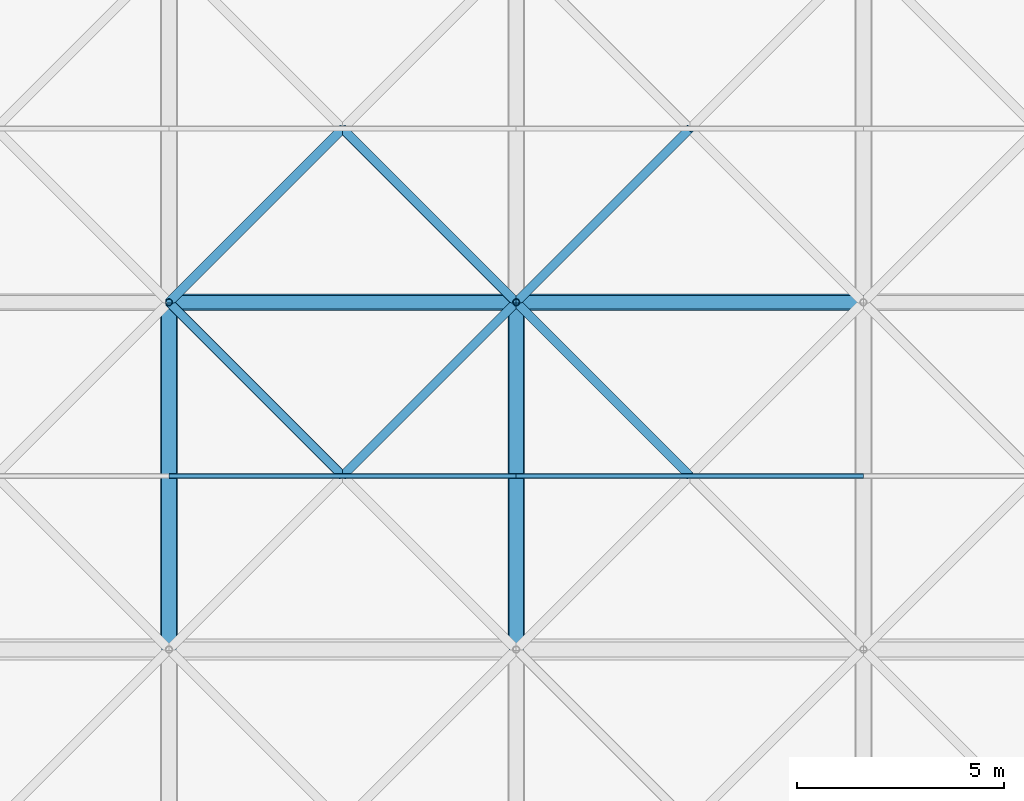
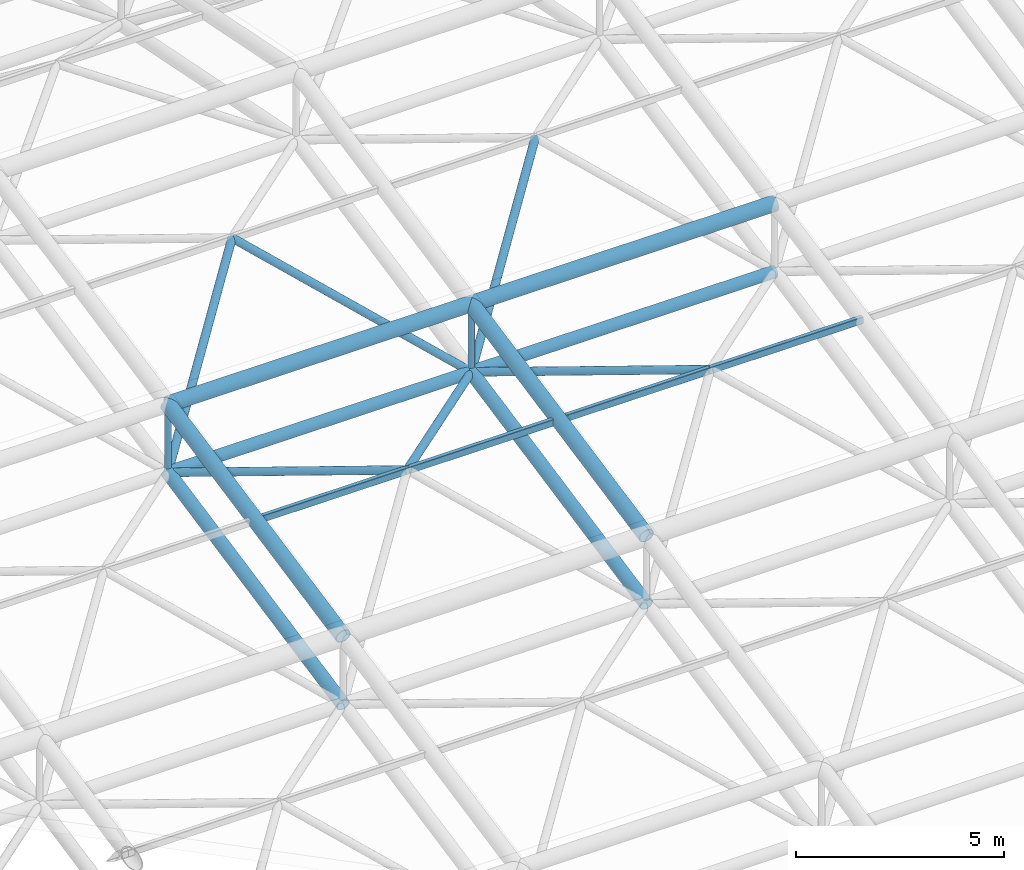
# One storey, part 35 of 81: 18 members.
"""IFC4 building model written with IfcOpenShell, lengths in metres."""

from ifc_helpers import new_model, si_unit, direction, frame, origin, origin_2d, place, context, subcontext, project, spatial, hollow_rectangle, hollow_circle, extrude, material, material_profile, profile_set, type_object, element, save


model = new_model("IFC4")

# Units and contexts
model_context = context("Model", 3, precision=1e-05, world=origin(), true_north=direction((0.0, 1.0)))
body_context = subcontext(model_context, "Body", "Model", "MODEL_VIEW")
ifc_project = project(units=[si_unit("LENGTHUNIT", "METRE"), si_unit("AREAUNIT", "SQUARE_METRE"), si_unit("VOLUMEUNIT", "CUBIC_METRE"), si_unit("PLANEANGLEUNIT", "RADIAN"), si_unit("MASSUNIT", "GRAM", prefix="KILO")], contexts=[model_context])

# Site, building, storey
site_placement = place(None, origin())
site = spatial("IfcSite", under=ifc_project, at=site_placement, CompositionType="ELEMENT")
building_placement = place(site_placement, origin())
building = spatial("IfcBuilding", under=site, at=building_placement, Name="Qawsi Khor Wholesale Market", CompositionType="ELEMENT")
storey_placement = place(building_placement, frame((0.0, 0.0, 16.199951171875)))
storey = spatial("IfcBuildingStorey", under=building, at=storey_placement, Name="L03", CompositionType="ELEMENT", Elevation=16.199951171875)

# Members
ifc_material = material(Name="Steel S355", Category="steel")
ifc_material_profile_1 = material_profile(ifc_material, hollow_circle(Radius=0.177734375, WallThickness=0.01611328125, at=origin_2d()), Name="CHS 355.6x16.0")
ifc_profile_set_1 = profile_set([ifc_material_profile_1], Name="Steel S355")
member_type_1 = type_object("IfcMemberType", Name="Space-Frame Bottom Chord CHS 355.6x16.0", PredefinedType="CHORD", material=ifc_profile_set_1)
for number, where, z_axis, x_axis, name in (
    (1, (33.60009765625, 58.800048828125, 3.3701171875), (0.0, 0.980129990483, 0.1983562496), (-1.0, 0.0, 0.0), "Space frame bottom chord Y WH (4,7)"),
    (2, (42.0, 58.800048828125, 3.3701171875), (0.0, 0.980129990483, 0.1983562496), (-1.0, 0.0, 0.0), "Space frame bottom chord Y WH (5,7)"),
):
    element("IfcMember", number, at=place(storey_placement, frame(where, z_axis=z_axis, x_axis=x_axis)), inside=storey, type_object=member_type_1, Name=name, PredefinedType="CHORD", context=body_context, shape_type="SweptSolid", body=[
        extrude(hollow_circle(Radius=0.177734375, WallThickness=0.01611328125, at=origin_2d()), origin(), (0.0, 0.0, 1.0), 8.5703125),
    ])
ifc_material_profile_2 = material_profile(ifc_material, hollow_rectangle(XDim=0.1201171875, YDim=0.199951171875, WallThickness=0.008056640625, InnerFilletRadius=0.008056640625, OuterFilletRadius=0.01611328125, at=origin_2d()), Name="RHS 200x120x8.0")
ifc_profile_set_2 = profile_set([ifc_material_profile_2], Name="Steel S355")
member_type_2 = type_object("IfcMemberType", Name="Space-Frame Heavy Purlin RHS 200x120x8.0", PredefinedType="PURLIN", material=ifc_profile_set_2)
for number, where, z_axis, x_axis, name in (
    (3, (33.60009765625, 63.0, 6.219970703125), (1.0, 0.0, 0.0), (0.0, 1.0, 0.0), "Space frame purlin WH (4,7)"),
    (4, (42.0, 63.0, 6.219970703125), (1.0, 0.0, 0.0), (0.0, 1.0, 0.0), "Space frame purlin WH (5,7)"),
):
    element("IfcMember", number, at=place(storey_placement, frame(where, z_axis=z_axis, x_axis=x_axis)), inside=storey, type_object=member_type_2, Name=name, PredefinedType="PURLIN", context=body_context, shape_type="SweptSolid", body=[
        extrude(hollow_rectangle(XDim=0.1201171875, YDim=0.199951171875, WallThickness=0.008056640625, InnerFilletRadius=0.008056640625, OuterFilletRadius=0.01611328125, at=origin_2d()), origin(), (0.0, 0.0, 1.0), 8.39990234375),
    ])
ifc_material_profile_3 = material_profile(ifc_material, hollow_circle(Radius=0.109619140625, WallThickness=0.010009765625, at=origin_2d()), Name="CHS 219.1x10.0")
ifc_profile_set_3 = profile_set([ifc_material_profile_3], Name="Steel S355")
member_type_3 = type_object("IfcMemberType", Name="Space-Frame Inner Diagonal CHS 219.1x10.0", PredefinedType="RAFTER", material=ifc_profile_set_3)
for number, where, z_axis, x_axis, name in (
    (5, (42.0, 67.199951171875, 5.070068359375), (-0.694216714393, -0.694216714393, 0.190069216113), (0.707106781187, -0.707106781187, 0.0), "Space frame diagonal WH (4,7)-3"),
    (6, (33.60009765625, 67.199951171875, 5.070068359375), (0.694216714393, -0.694216714393, 0.190069216113), (0.707106781187, 0.707106781187, 0.0), "Space frame diagonal WH (4,7)-4"),
):
    element("IfcMember", number, at=place(storey_placement, frame(where, z_axis=z_axis, x_axis=x_axis)), inside=storey, type_object=member_type_3, Name=name, PredefinedType="RAFTER", context=body_context, shape_type="SweptSolid", body=[
        extrude(hollow_circle(Radius=0.109619140625, WallThickness=0.010009765625, at=origin_2d()), origin(), (0.0, 0.0, 1.0), 6.0498046875),
    ])
for number, where, z_axis, x_axis, name in (
    (7, (33.60009765625, 67.199951171875, 5.070068359375), (0.637511741089, 0.637511741089, 0.432617105474), (-0.707106781187, 0.707106781187, 0.0), "Space frame diagonal WH (4,8)-1"),
    (8, (42.0, 67.199951171875, 5.070068359375), (-0.637511741089, 0.637511741089, 0.432617105474), (-0.707106781187, -0.707106781187, 0.0), "Space frame diagonal WH (4,8)-2"),
):
    element("IfcMember", number, at=place(storey_placement, frame(where, z_axis=z_axis, x_axis=x_axis)), inside=storey, type_object=member_type_3, Name=name, PredefinedType="RAFTER", context=body_context, shape_type="SweptSolid", body=[
        extrude(hollow_circle(Radius=0.109619140625, WallThickness=0.010009765625, at=origin_2d()), origin(), (0.0, 0.0, 1.0), 6.588134765625),
    ])
member_1_placement = place(storey_placement, frame((42.0, 67.199951171875, 5.070068359375), z_axis=(0.694216714393, -0.694216714393, 0.190069216113), x_axis=(0.707106781187, 0.707106781187, 0.0)))
element("IfcMember", 9, at=member_1_placement, inside=storey, type_object=member_type_3, Name="Space frame diagonal WH (5,7)-4", PredefinedType="RAFTER", context=body_context, shape_type="SweptSolid", body=[
    extrude(hollow_circle(Radius=0.109619140625, WallThickness=0.010009765625, at=origin_2d()), origin(), (0.0, 0.0, 1.0), 6.0498046875),
])
member_2_placement = place(storey_placement, frame((42.0, 67.199951171875, 5.070068359375), z_axis=(0.637511741089, 0.637511741089, 0.432617105474), x_axis=(-0.707106781187, 0.707106781187, 0.0)))
element("IfcMember", 10, at=member_2_placement, inside=storey, type_object=member_type_3, Name="Space frame diagonal WH (5,8)-1", PredefinedType="RAFTER", context=body_context, shape_type="SweptSolid", body=[
    extrude(hollow_circle(Radius=0.109619140625, WallThickness=0.010009765625, at=origin_2d()), origin(), (0.0, 0.0, 1.0), 6.588134765625),
])
ifc_material_profile_4 = material_profile(ifc_material, hollow_circle(Radius=0.161865234375, WallThickness=0.01611328125, at=origin_2d()), Name="CHS 323.9x16.0")
ifc_profile_set_4 = profile_set([ifc_material_profile_4], Name="Steel S355")
member_type_4 = type_object("IfcMemberType", Name="Space-Frame Secondary Chord CHS 323.9x16.0", PredefinedType="CHORD", material=ifc_profile_set_4)
for number, where, z_axis, x_axis, name in (
    (11, (33.60009765625, 67.199951171875, 5.070068359375), (1.0, 0.0, 0.0), (0.0, 1.0, 0.0), "Space frame bottom chord X WH (4,8)"),
    (12, (42.0, 67.199951171875, 5.070068359375), (1.0, 0.0, 0.0), (0.0, 1.0, 0.0), "Space frame bottom chord X WH (5,8)"),
):
    element("IfcMember", number, at=place(storey_placement, frame(where, z_axis=z_axis, x_axis=x_axis)), inside=storey, type_object=member_type_4, Name=name, PredefinedType="CHORD", context=body_context, shape_type="SweptSolid", body=[
        extrude(hollow_circle(Radius=0.161865234375, WallThickness=0.01611328125, at=origin_2d()), origin(), (0.0, 0.0, 1.0), 8.39990234375),
    ])
ifc_material_profile_5 = material_profile(ifc_material, hollow_circle(Radius=0.203125, WallThickness=0.02001953125, at=origin_2d()), Name="CHS 406.4x20.0")
ifc_profile_set_5 = profile_set([ifc_material_profile_5], Name="Steel S355")
member_type_5 = type_object("IfcMemberType", Name="Space-Frame Top Chord CHS 406.4x20.0", PredefinedType="CHORD", material=ifc_profile_set_5)
member_3_placement = place(storey_placement, frame((33.60009765625, 58.800048828125, 5.3701171875), z_axis=(0.0, 0.980129990483, 0.1983562496), x_axis=(-1.0, 0.0, 0.0)))
element("IfcMember", 13, at=member_3_placement, inside=storey, type_object=member_type_5, Name="Space frame top chord Y WH (4,7)", PredefinedType="CHORD", context=body_context, shape_type="SweptSolid", body=[
    extrude(hollow_circle(Radius=0.203125, WallThickness=0.02001953125, at=origin_2d()), origin(), (0.0, 0.0, 1.0), 8.5703125),
])
member_4_placement = place(storey_placement, frame((33.60009765625, 67.199951171875, 7.070068359375), z_axis=(1.0, 0.0, 0.0), x_axis=(0.0, 1.0, 0.0)))
element("IfcMember", 14, at=member_4_placement, inside=storey, type_object=member_type_5, Name="Space frame top chord X WH (4,8)", PredefinedType="CHORD", context=body_context, shape_type="SweptSolid", body=[
    extrude(hollow_circle(Radius=0.203125, WallThickness=0.02001953125, at=origin_2d()), origin(), (0.0, 0.0, 1.0), 8.39990234375),
])
member_5_placement = place(storey_placement, frame((42.0, 58.800048828125, 5.3701171875), z_axis=(0.0, 0.980129990483, 0.1983562496), x_axis=(-1.0, 0.0, 0.0)))
element("IfcMember", 15, at=member_5_placement, inside=storey, type_object=member_type_5, Name="Space frame top chord Y WH (5,7)", PredefinedType="CHORD", context=body_context, shape_type="SweptSolid", body=[
    extrude(hollow_circle(Radius=0.203125, WallThickness=0.02001953125, at=origin_2d()), origin(), (0.0, 0.0, 1.0), 8.5703125),
])
member_6_placement = place(storey_placement, frame((42.0, 67.199951171875, 7.070068359375), z_axis=(1.0, 0.0, 0.0), x_axis=(0.0, 1.0, 0.0)))
element("IfcMember", 16, at=member_6_placement, inside=storey, type_object=member_type_5, Name="Space frame top chord X WH (5,8)", PredefinedType="CHORD", context=body_context, shape_type="SweptSolid", body=[
    extrude(hollow_circle(Radius=0.203125, WallThickness=0.02001953125, at=origin_2d()), origin(), (0.0, 0.0, 1.0), 8.39990234375),
])
ifc_material_profile_6 = material_profile(ifc_material, hollow_circle(Radius=0.084228515625, WallThickness=0.008056640625, at=origin_2d()), Name="CHS 168.3x8.0")
ifc_profile_set_6 = profile_set([ifc_material_profile_6], Name="Steel S355")
member_type_6 = type_object("IfcMemberType", Name="Space-Frame Vertical Strut CHS 168.3x8.0", PredefinedType="STRUT", material=ifc_profile_set_6)
for number, where, z_axis, x_axis, name in (
    (17, (33.60009765625, 67.199951171875, 5.070068359375), (0.0, 0.0, 1.0), (1.0, 0.0, 0.0), "Space frame post WH (4,8)"),
    (18, (42.0, 67.199951171875, 5.070068359375), (0.0, 0.0, 1.0), (1.0, 0.0, 0.0), "Space frame post WH (5,8)"),
):
    element("IfcMember", number, at=place(storey_placement, frame(where, z_axis=z_axis, x_axis=x_axis)), inside=storey, type_object=member_type_6, Name=name, PredefinedType="STRUT", context=body_context, shape_type="SweptSolid", body=[
        extrude(hollow_circle(Radius=0.084228515625, WallThickness=0.008056640625, at=origin_2d()), origin(), (0.0, 0.0, 1.0), 2.0),
    ])

save(model, "model.ifc")
